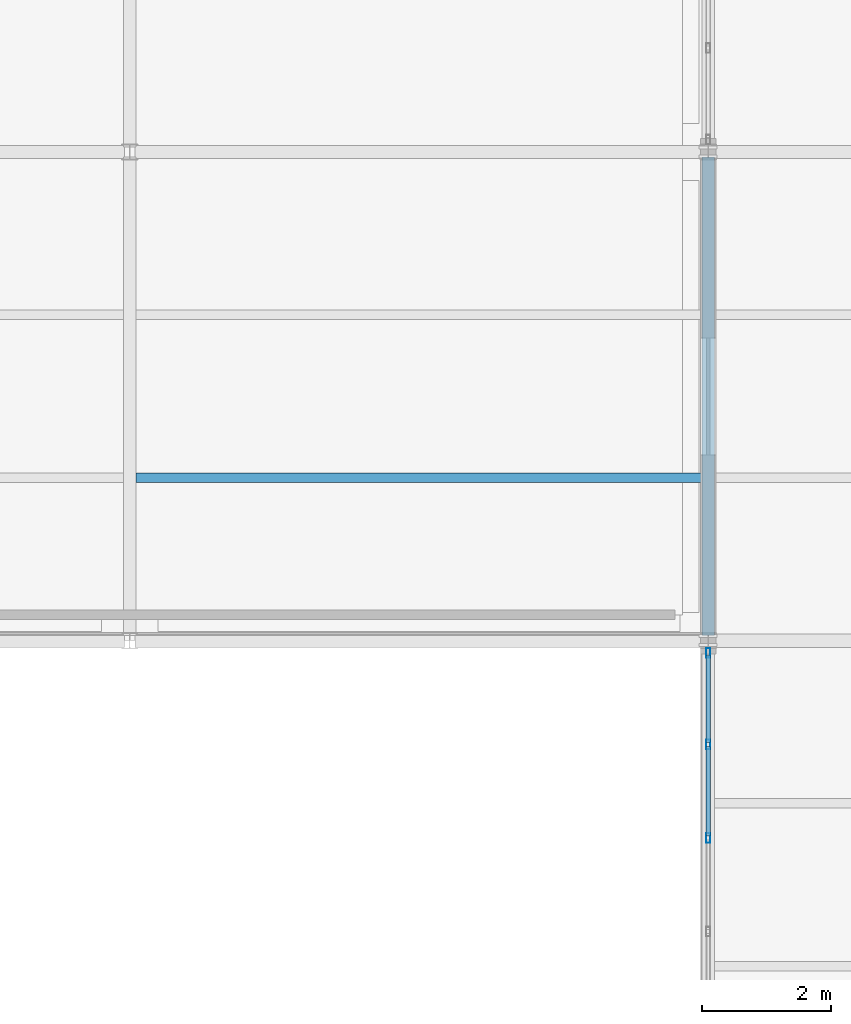
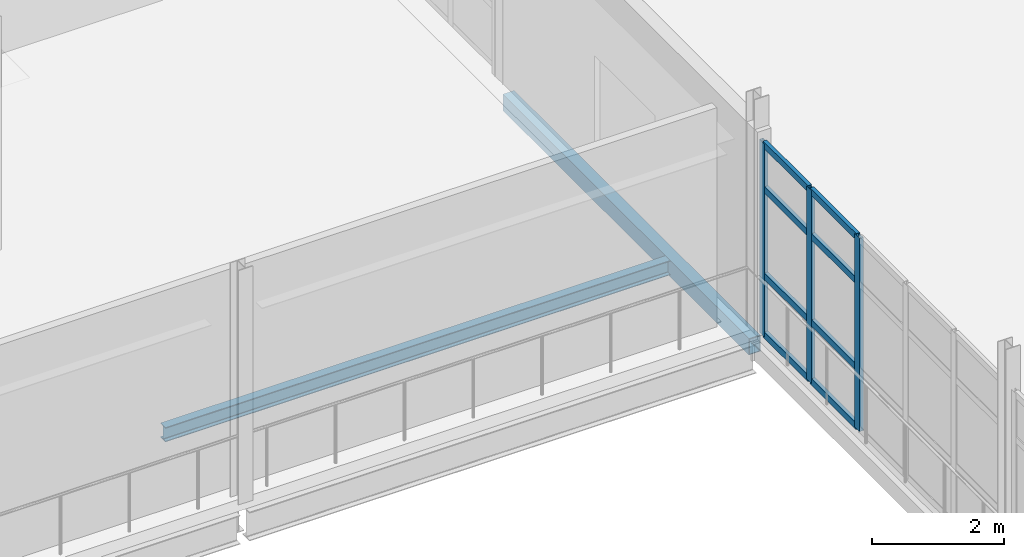
# One storey, part 24 of 48: 11 members, 2 beams, 1 element without a shape of its own.
"""IFC4 building model written with IfcOpenShell, lengths in metres."""

from ifc_helpers import new_model, si_unit, direction, frame, origin, origin_2d, place, context, subcontext, project, spatial, hollow_rectangle, i_section, extrude, material, material_profile, profile_set, type_object, element, aggregate, save


model = new_model("IFC4")

# Units and contexts
model_context = context("Model", 3, precision=1e-05, world=origin(), true_north=direction((0.0, 1.0)))
body_context = subcontext(model_context, "Body", "Model", "MODEL_VIEW")
ifc_project = project(units=[si_unit("LENGTHUNIT", "METRE"), si_unit("AREAUNIT", "SQUARE_METRE"), si_unit("VOLUMEUNIT", "CUBIC_METRE"), si_unit("PLANEANGLEUNIT", "RADIAN"), si_unit("MASSUNIT", "GRAM", prefix="KILO")], contexts=[model_context])

# Site, building, storey
site_placement = place(None, origin())
site = spatial("IfcSite", under=ifc_project, at=site_placement, CompositionType="ELEMENT")
building_placement = place(site_placement, origin())
building = spatial("IfcBuilding", under=site, at=building_placement, Name="Caisbarro Railhouse Central Library", CompositionType="ELEMENT")
storey_placement = place(building_placement, frame((0.0, 0.0, 18.0)))
storey = spatial("IfcBuildingStorey", under=building, at=storey_placement, Name="L04", CompositionType="ELEMENT", Elevation=18.0)

# Beams
ifc_material_1 = material(Name="Steel ASTM A572 Grade 50", Category="steel")
ifc_material_profile_1 = material_profile(ifc_material_1, i_section(OverallWidth=0.14794921875, OverallDepth=0.26611328125, WebThickness=0.007568359375, FlangeThickness=0.012939453125, FilletRadius=0.010009765625, at=origin_2d()), Name="W250X44.8")
ifc_profile_set_1 = profile_set([ifc_material_profile_1], Name="Steel ASTM A572 Grade 50")
beam_type_1 = type_object("IfcBeamType", Name="BM-J04", PredefinedType="JOIST", material=ifc_profile_set_1)
beam_1_placement = place(storey_placement, frame((135.094970703125, 93.7333984375, -0.35302734375), z_axis=(1.0, 0.0, 0.0), x_axis=(0.0, 1.0, 0.0)))
element("IfcBeam", 1, at=beam_1_placement, inside=storey, type_object=beam_type_1, Name="J04 beam L04 #2134", PredefinedType="JOIST", context=body_context, shape_type="SweptSolid", body=[
    extrude(i_section(OverallWidth=0.14794921875, OverallDepth=0.26611328125, WebThickness=0.007568359375, FlangeThickness=0.012939453125, FilletRadius=0.010009765625, at=origin_2d()), origin(), (0.0, 0.0, 1.0), 8.804931640625),
])
ifc_material_profile_2 = material_profile(ifc_material_1, hollow_rectangle(XDim=0.199951171875, YDim=0.300048828125, WallThickness=0.012451171875, at=origin_2d()), Name="HSS300X200X12.5")
ifc_profile_set_2 = profile_set([ifc_material_profile_2], Name="Steel ASTM A572 Grade 50")
beam_type_2 = type_object("IfcBeamType", Name="BM-SP02", PredefinedType="SPANDREL", material=ifc_profile_set_2)
beam_2_placement = place(storey_placement, frame((144.0, 91.280029296875, -0.3701171875), z_axis=(0.0, 1.0, 0.0), x_axis=(-1.0, 0.0, 0.0)))
element("IfcBeam", 2, at=beam_2_placement, inside=storey, type_object=beam_type_2, Name="SP02 beam L04 #2113", PredefinedType="SPANDREL", context=body_context, shape_type="SweptSolid", body=[
    extrude(hollow_rectangle(XDim=0.199951171875, YDim=0.300048828125, WallThickness=0.012451171875, at=origin_2d()), origin(), (0.0, 0.0, 1.0), 7.43994140625),
])

# Curtain wall, members
ifc_material_2 = material(Name="Anodised architectural aluminium", Category="aluminium")
curtain_wall_type = type_object("IfcCurtainWallType", Name="CW-CW03", PredefinedType="NOTDEFINED", material=ifc_material_2)
curtain_wall_placement = place(storey_placement, origin())
curtain_wall = element("IfcCurtainWall", 3, at=curtain_wall_placement, inside=storey, type_object=curtain_wall_type, Name="CW03 curtain wall L04 #164", PredefinedType="NOTDEFINED")
ifc_material_profile_3 = material_profile(ifc_material_2, hollow_rectangle(XDim=0.06494140625, YDim=0.14990234375, WallThickness=0.00390625, at=origin_2d()), Name="ALU-MUL-65X150")
ifc_profile_set_3 = profile_set([ifc_material_profile_3], Name="Anodised architectural aluminium")
member_type_1 = type_object("IfcMemberType", Name="CWM-M02", PredefinedType="MULLION", material=ifc_profile_set_3)
member_1_placement = place(storey_placement, frame((144.0, 88.1279296875, 0.0), z_axis=(0.0, 0.0, 1.0), x_axis=(-1.0, 0.0, 0.0)))
member_1 = element("IfcMember", 4, at=member_1_placement, type_object=member_type_1, Name="CW03 mullion 4", PredefinedType="MULLION", context=body_context, shape_type="SweptSolid", body=[
    extrude(hollow_rectangle(XDim=0.06494140625, YDim=0.14990234375, WallThickness=0.00390625, at=origin_2d()), origin(), (0.0, 0.0, 1.0), 3.56005859375),
])
member_2_placement = place(storey_placement, frame((144.0, 89.583984375, 0.0), z_axis=(0.0, 0.0, 1.0), x_axis=(-1.0, 0.0, 0.0)))
member_2 = element("IfcMember", 5, at=member_2_placement, type_object=member_type_1, Name="CW03 mullion 5", PredefinedType="MULLION", context=body_context, shape_type="SweptSolid", body=[
    extrude(hollow_rectangle(XDim=0.06494140625, YDim=0.14990234375, WallThickness=0.00390625, at=origin_2d()), origin(), (0.0, 0.0, 1.0), 3.56005859375),
])
member_3_placement = place(storey_placement, frame((144.0, 91.007568359375, 0.0), z_axis=(0.0, 0.0, 1.0), x_axis=(-1.0, 0.0, 0.0)))
member_3 = element("IfcMember", 6, at=member_3_placement, type_object=member_type_1, Name="CW03 mullion 6", PredefinedType="MULLION", context=body_context, shape_type="SweptSolid", body=[
    extrude(hollow_rectangle(XDim=0.06494140625, YDim=0.14990234375, WallThickness=0.00390625, at=origin_2d()), origin(), (0.0, 0.0, 1.0), 3.56005859375),
])
ifc_material_profile_4 = material_profile(ifc_material_2, hollow_rectangle(XDim=0.06494140625, YDim=0.1201171875, WallThickness=0.00341796875, at=origin_2d()), Name="ALU-TRN-65X120")
ifc_profile_set_4 = profile_set([ifc_material_profile_4], Name="Anodised architectural aluminium")
member_type_2 = type_object("IfcMemberType", Name="CWT-T02", PredefinedType="USERDEFINED", material=ifc_profile_set_4)
member_4_placement = place(storey_placement, frame((144.0, 88.160400390625, 0.032470703125), z_axis=(0.0, 1.0, 0.0), x_axis=(-1.0, 0.0, 0.0)))
member_4 = element("IfcMember", 7, at=member_4_placement, type_object=member_type_2, Name="CW03 transom 4.1", ObjectType="TRANSOM", PredefinedType="USERDEFINED", context=body_context, shape_type="SweptSolid", body=[
    extrude(hollow_rectangle(XDim=0.06494140625, YDim=0.1201171875, WallThickness=0.00341796875, at=origin_2d()), origin(), (0.0, 0.0, 1.0), 1.39111328125),
])
member_5_placement = place(storey_placement, frame((144.0, 88.160400390625, 1.1201171875), z_axis=(0.0, 1.0, 0.0), x_axis=(-1.0, 0.0, 0.0)))
member_5 = element("IfcMember", 8, at=member_5_placement, type_object=member_type_2, Name="CW03 transom 4.2", ObjectType="TRANSOM", PredefinedType="USERDEFINED", context=body_context, shape_type="SweptSolid", body=[
    extrude(hollow_rectangle(XDim=0.06494140625, YDim=0.1201171875, WallThickness=0.00341796875, at=origin_2d()), origin(), (0.0, 0.0, 1.0), 1.39111328125),
])
member_6_placement = place(storey_placement, frame((144.0, 88.160400390625, 2.7099609375), z_axis=(0.0, 1.0, 0.0), x_axis=(-1.0, 0.0, 0.0)))
member_6 = element("IfcMember", 9, at=member_6_placement, type_object=member_type_2, Name="CW03 transom 4.3", ObjectType="TRANSOM", PredefinedType="USERDEFINED", context=body_context, shape_type="SweptSolid", body=[
    extrude(hollow_rectangle(XDim=0.06494140625, YDim=0.1201171875, WallThickness=0.00341796875, at=origin_2d()), origin(), (0.0, 0.0, 1.0), 1.39111328125),
])
member_7_placement = place(storey_placement, frame((144.0, 88.160400390625, 3.527587890625), z_axis=(0.0, 1.0, 0.0), x_axis=(-1.0, 0.0, 0.0)))
member_7 = element("IfcMember", 10, at=member_7_placement, type_object=member_type_2, Name="CW03 transom 4.4", ObjectType="TRANSOM", PredefinedType="USERDEFINED", context=body_context, shape_type="SweptSolid", body=[
    extrude(hollow_rectangle(XDim=0.06494140625, YDim=0.1201171875, WallThickness=0.00341796875, at=origin_2d()), origin(), (0.0, 0.0, 1.0), 1.39111328125),
])
member_8_placement = place(storey_placement, frame((144.0, 89.616455078125, 0.032470703125), z_axis=(0.0, 1.0, 0.0), x_axis=(-1.0, 0.0, 0.0)))
member_8 = element("IfcMember", 11, at=member_8_placement, type_object=member_type_2, Name="CW03 transom 5.1", ObjectType="TRANSOM", PredefinedType="USERDEFINED", context=body_context, shape_type="SweptSolid", body=[
    extrude(hollow_rectangle(XDim=0.06494140625, YDim=0.1201171875, WallThickness=0.00341796875, at=origin_2d()), origin(), (0.0, 0.0, 1.0), 1.358642578125),
])
member_9_placement = place(storey_placement, frame((144.0, 89.616455078125, 1.1201171875), z_axis=(0.0, 1.0, 0.0), x_axis=(-1.0, 0.0, 0.0)))
member_9 = element("IfcMember", 12, at=member_9_placement, type_object=member_type_2, Name="CW03 transom 5.2", ObjectType="TRANSOM", PredefinedType="USERDEFINED", context=body_context, shape_type="SweptSolid", body=[
    extrude(hollow_rectangle(XDim=0.06494140625, YDim=0.1201171875, WallThickness=0.00341796875, at=origin_2d()), origin(), (0.0, 0.0, 1.0), 1.358642578125),
])
member_10_placement = place(storey_placement, frame((144.0, 89.616455078125, 2.7099609375), z_axis=(0.0, 1.0, 0.0), x_axis=(-1.0, 0.0, 0.0)))
member_10 = element("IfcMember", 13, at=member_10_placement, type_object=member_type_2, Name="CW03 transom 5.3", ObjectType="TRANSOM", PredefinedType="USERDEFINED", context=body_context, shape_type="SweptSolid", body=[
    extrude(hollow_rectangle(XDim=0.06494140625, YDim=0.1201171875, WallThickness=0.00341796875, at=origin_2d()), origin(), (0.0, 0.0, 1.0), 1.358642578125),
])
member_11_placement = place(storey_placement, frame((144.0, 89.616455078125, 3.527587890625), z_axis=(0.0, 1.0, 0.0), x_axis=(-1.0, 0.0, 0.0)))
member_11 = element("IfcMember", 14, at=member_11_placement, type_object=member_type_2, Name="CW03 transom 5.4", ObjectType="TRANSOM", PredefinedType="USERDEFINED", context=body_context, shape_type="SweptSolid", body=[
    extrude(hollow_rectangle(XDim=0.06494140625, YDim=0.1201171875, WallThickness=0.00341796875, at=origin_2d()), origin(), (0.0, 0.0, 1.0), 1.358642578125),
])
aggregate(curtain_wall, [member_1, member_2, member_3, member_4, member_5, member_6, member_7, member_8, member_9, member_10, member_11])

save(model, "model.ifc")
